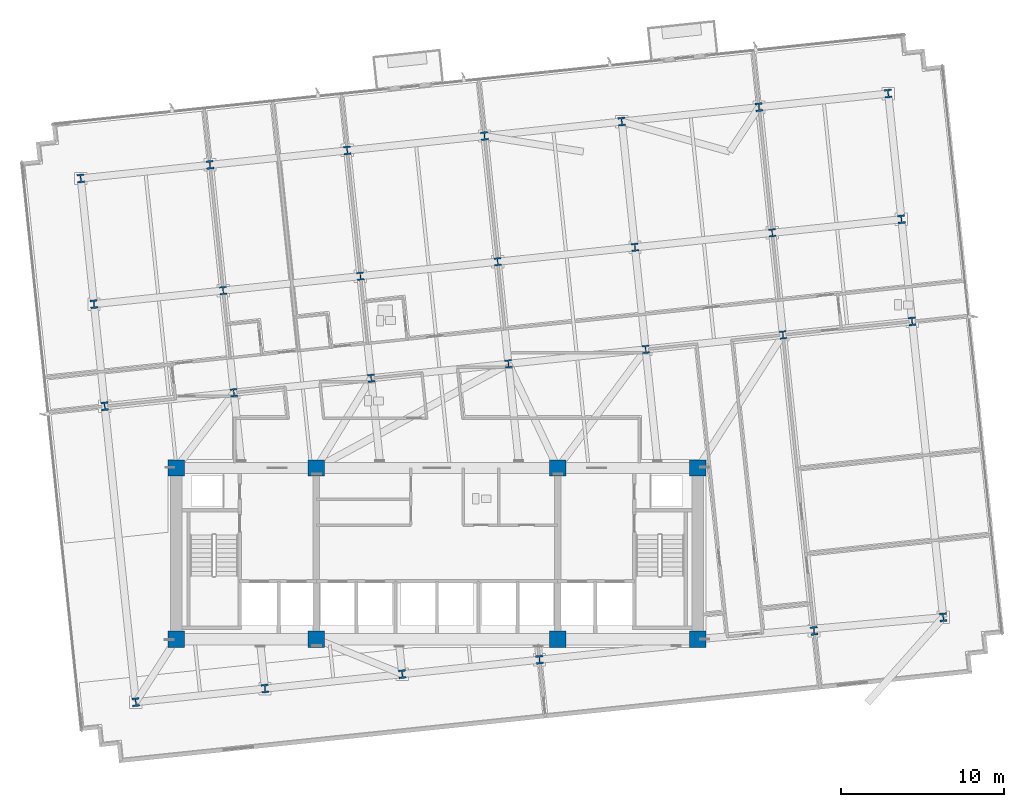
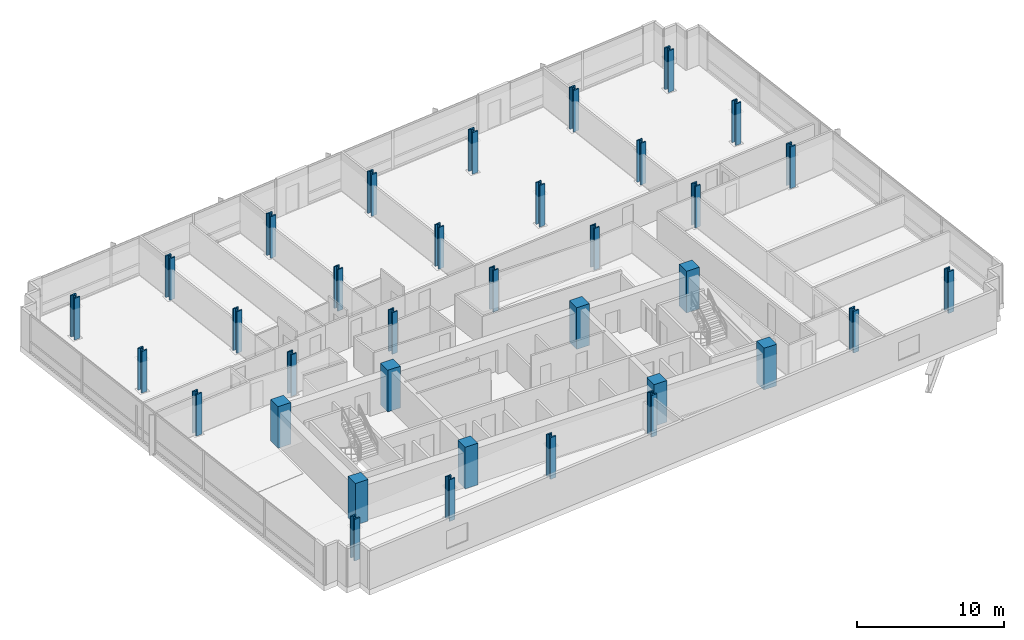
# One storey, part 1 of 18: 35 columns.
"""IFC4 building model written with IfcOpenShell, lengths in metres."""

from ifc_helpers import new_model, si_unit, direction, frame, origin, origin_2d, place, context, subcontext, project, spatial, rectangle, i_section, extrude, material, material_profile, profile_set, type_object, element, save


model = new_model("IFC4")

# Units and contexts
model_context = context("Model", 3, precision=1e-05, world=origin(), true_north=direction((0.0, 1.0)))
body_context = subcontext(model_context, "Body", "Model", "MODEL_VIEW")
ifc_project = project(units=[si_unit("LENGTHUNIT", "METRE"), si_unit("AREAUNIT", "SQUARE_METRE"), si_unit("VOLUMEUNIT", "CUBIC_METRE"), si_unit("PLANEANGLEUNIT", "RADIAN"), si_unit("MASSUNIT", "GRAM", prefix="KILO")], contexts=[model_context])

# Site, building, storey
site_placement = place(None, origin())
site = spatial("IfcSite", under=ifc_project, at=site_placement, CompositionType="ELEMENT")
building_placement = place(site_placement, origin())
building = spatial("IfcBuilding", under=site, at=building_placement, Name="Solmavex Isthmus Hotel", CompositionType="ELEMENT")
storey_placement = place(building_placement, frame((0.0, 0.0, 80.10009765625)))
storey = spatial("IfcBuildingStorey", under=building, at=storey_placement, Name="L21", CompositionType="ELEMENT", Elevation=80.10009765625)

# Columns
ifc_material_1 = material(Name="Concrete C60/75", Category="concrete")
ifc_material_profile_1 = material_profile(ifc_material_1, rectangle(XDim=1.0, YDim=1.0, at=origin_2d()), Name="RC1000X1000")
ifc_profile_set_1 = profile_set([ifc_material_profile_1], Name="Concrete C60/75")
column_type_1 = type_object("IfcColumnType", Name="COL-CC-1000", PredefinedType="COLUMN", material=ifc_profile_set_1)
for number, where, z_axis, x_axis, name in (
    (1, (-16.0, -13.0, 0.0), (0.0, 0.0, 1.0), (1.0, 0.0, 0.0), "Core Pilaster CC-SW L21"),
    (2, (-7.39990234375, -13.0, 0.0), (0.0, 0.0, 1.0), (1.0, 0.0, 0.0), "Core Pilaster CC-S1 L21"),
    (3, (7.39990234375, -13.0, 0.0), (0.0, 0.0, 1.0), (1.0, 0.0, 0.0), "Core Pilaster CC-S2 L21"),
    (4, (16.0, -13.0, 0.0), (0.0, 0.0, 1.0), (1.0, 0.0, 0.0), "Core Pilaster CC-SE L21"),
    (5, (-16.0, -2.5, 0.0), (0.0, 0.0, 1.0), (1.0, 0.0, 0.0), "Core Pilaster CC-NW L21"),
    (6, (-7.39990234375, -2.5, 0.0), (0.0, 0.0, 1.0), (1.0, 0.0, 0.0), "Core Pilaster CC-N1 L21"),
    (7, (7.39990234375, -2.5, 0.0), (0.0, 0.0, 1.0), (1.0, 0.0, 0.0), "Core Pilaster CC-N2 L21"),
    (8, (16.0, -2.5, 0.0), (0.0, 0.0, 1.0), (1.0, 0.0, 0.0), "Core Pilaster CC-NE L21"),
):
    element("IfcColumn", number, at=place(storey_placement, frame(where, z_axis=z_axis, x_axis=x_axis)), inside=storey, type_object=column_type_1, Name=name, PredefinedType="COLUMN", context=body_context, shape_type="SweptSolid", body=[
        extrude(rectangle(XDim=1.0, YDim=1.0, at=origin_2d()), origin(), (0.0, 0.0, 1.0), 3.449951171875),
    ])
ifc_material_2 = material(Name="Steel ASTM A913 Grade 65", Category="steel")
ifc_material_profile_2 = material_profile(ifc_material_2, i_section(OverallWidth=0.43212890625, OverallDepth=0.497802734375, WebThickness=0.0556640625, FlangeThickness=0.0888671875, FilletRadius=0.030517578125, at=origin_2d()), Name="W14X500")
ifc_profile_set_2 = profile_set([ifc_material_profile_2], Name="Steel ASTM A913 Grade 65")
column_type_2 = type_object("IfcColumnType", Name="COL-SC-W14X500", PredefinedType="COLUMN", material=ifc_profile_set_2)
for number, where, z_axis, x_axis, name in (
    (9, (-12.458740234375, 2.11865234375, 0.0), (0.0, 0.0, 1.0), (0.994521895368, 0.104528463268, 0.0), "Tower Column B2-U2V2 L21"),
    (10, (-13.1171875, 8.382080078125, 0.0), (0.0, 0.0, 1.0), (0.994521895368, 0.104528463268, 0.0), "Tower Column B2-U2V3 L21"),
    (11, (-4.0390625, 3.003662109375, 0.0), (0.0, 0.0, 1.0), (0.994521895368, 0.104528463268, 0.0), "Tower Column B2-U3V2 L21"),
    (12, (-4.697509765625, 9.26708984375, 0.0), (0.0, 0.0, 1.0), (0.994521895368, 0.104528463268, 0.0), "Tower Column B2-U3V3 L21"),
    (13, (4.38037109375, 3.888427734375, 0.0), (0.0, 0.0, 1.0), (0.994521895368, 0.104528463268, 0.0), "Tower Column B2-U4V2 L21"),
    (14, (3.72216796875, 10.152099609375, 0.0), (0.0, 0.0, 1.0), (0.994521895368, 0.104528463268, 0.0), "Tower Column B2-U4V3 L21"),
    (15, (12.800048828125, 4.7734375, 0.0), (0.0, 0.0, 1.0), (0.994521895368, 0.104528463268, 0.0), "Tower Column B2-U5V2 L21"),
    (16, (12.141845703125, 11.036865234375, 0.0), (0.0, 0.0, 1.0), (0.994521895368, 0.104528463268, 0.0), "Tower Column B2-U5V3 L21"),
    (17, (21.2197265625, 5.658447265625, 0.0), (0.0, 0.0, 1.0), (0.994521895368, 0.104528463268, 0.0), "Tower Column B2-U6V2 L21"),
    (18, (20.5615234375, 11.921875, 0.0), (0.0, 0.0, 1.0), (0.994521895368, 0.104528463268, 0.0), "Tower Column B2-U6V3 L21"),
):
    element("IfcColumn", number, at=place(storey_placement, frame(where, z_axis=z_axis, x_axis=x_axis)), inside=storey, type_object=column_type_2, Name=name, PredefinedType="COLUMN", context=body_context, shape_type="SweptSolid", body=[
        extrude(i_section(OverallWidth=0.43212890625, OverallDepth=0.497802734375, WebThickness=0.0556640625, FlangeThickness=0.0888671875, FilletRadius=0.030517578125, at=origin_2d()), origin(), (0.0, 0.0, 1.0), 3.449951171875),
    ])
ifc_material_profile_3 = material_profile(ifc_material_2, i_section(OverallWidth=0.442138671875, OverallDepth=0.531494140625, WebThickness=0.06591796875, FlangeThickness=0.105712890625, FilletRadius=0.030517578125, at=origin_2d()), Name="W14X605")
ifc_profile_set_3 = profile_set([ifc_material_profile_3], Name="Steel ASTM A913 Grade 65")
column_type_3 = type_object("IfcColumnType", Name="COL-SC-W14X605", PredefinedType="COLUMN", material=ifc_profile_set_3)
for number, where, z_axis, x_axis, name in (
    (19, (-18.475341796875, -16.8642578125, 0.0), (0.0, 0.0, 1.0), (0.994521895368, 0.104528463268, 0.0), "Tower Column B2-U1V1 L21"),
    (20, (-20.383056640625, 1.28564453125, 0.0), (0.0, 0.0, 1.0), (0.994521895368, 0.104528463268, 0.0), "Tower Column B2-U1V2 L21"),
    (21, (-21.04150390625, 7.54931640625, 0.0), (0.0, 0.0, 1.0), (0.994521895368, 0.104528463268, 0.0), "Tower Column B2-U1V3 L21"),
    (22, (-21.851806640625, 15.2587890625, 0.0), (0.0, 0.0, 1.0), (0.994521895368, 0.104528463268, 0.0), "Tower Column B2-U1V4 L21"),
    (23, (-10.551025390625, -16.031494140625, 0.0), (0.0, 0.0, 1.0), (0.994521895368, 0.104528463268, 0.0), "Tower Column B2-U2V1 L21"),
    (24, (-13.927490234375, 16.091552734375, 0.0), (0.0, 0.0, 1.0), (0.994521895368, 0.104528463268, 0.0), "Tower Column B2-U2V4 L21"),
    (25, (-2.131591796875, -15.146484375, 0.0), (0.0, 0.0, 1.0), (0.994521895368, 0.104528463268, 0.0), "Tower Column B2-U3V1 L21"),
    (26, (-5.5078125, 16.9765625, 0.0), (0.0, 0.0, 1.0), (0.994521895368, 0.104528463268, 0.0), "Tower Column B2-U3V4 L21"),
    (27, (6.2880859375, -14.261474609375, 0.0), (0.0, 0.0, 1.0), (0.994521895368, 0.104528463268, 0.0), "Tower Column B2-U4V1 L21"),
    (28, (2.911865234375, 17.861572265625, 0.0), (0.0, 0.0, 1.0), (0.994521895368, 0.104528463268, 0.0), "Tower Column B2-U4V4 L21"),
    (29, (11.33154296875, 18.74658203125, 0.0), (0.0, 0.0, 1.0), (0.994521895368, 0.104528463268, 0.0), "Tower Column B2-U5V4 L21"),
    (30, (23.12744140625, -12.49169921875, 0.0), (0.0, 0.0, 1.0), (0.994521895368, 0.104528463268, 0.0), "Tower Column B2-U6V1 L21"),
    (31, (19.751220703125, 19.63134765625, 0.0), (0.0, 0.0, 1.0), (0.994521895368, 0.104528463268, 0.0), "Tower Column B2-U6V4 L21"),
    (32, (31.0517578125, -11.65869140625, 0.0), (0.0, 0.0, 1.0), (0.994521895368, 0.104528463268, 0.0), "Tower Column B2-U7V1 L21"),
    (33, (29.14404296875, 6.4912109375, 0.0), (0.0, 0.0, 1.0), (0.994521895368, 0.104528463268, 0.0), "Tower Column B2-U7V2 L21"),
    (34, (28.48583984375, 12.754638671875, 0.0), (0.0, 0.0, 1.0), (0.994521895368, 0.104528463268, 0.0), "Tower Column B2-U7V3 L21"),
    (35, (27.675537109375, 20.46435546875, 0.0), (0.0, 0.0, 1.0), (0.994521895368, 0.104528463268, 0.0), "Tower Column B2-U7V4 L21"),
):
    element("IfcColumn", number, at=place(storey_placement, frame(where, z_axis=z_axis, x_axis=x_axis)), inside=storey, type_object=column_type_3, Name=name, PredefinedType="COLUMN", context=body_context, shape_type="SweptSolid", body=[
        extrude(i_section(OverallWidth=0.442138671875, OverallDepth=0.531494140625, WebThickness=0.06591796875, FlangeThickness=0.105712890625, FilletRadius=0.030517578125, at=origin_2d()), origin(), (0.0, 0.0, 1.0), 3.449951171875),
    ])

save(model, "model.ifc")
